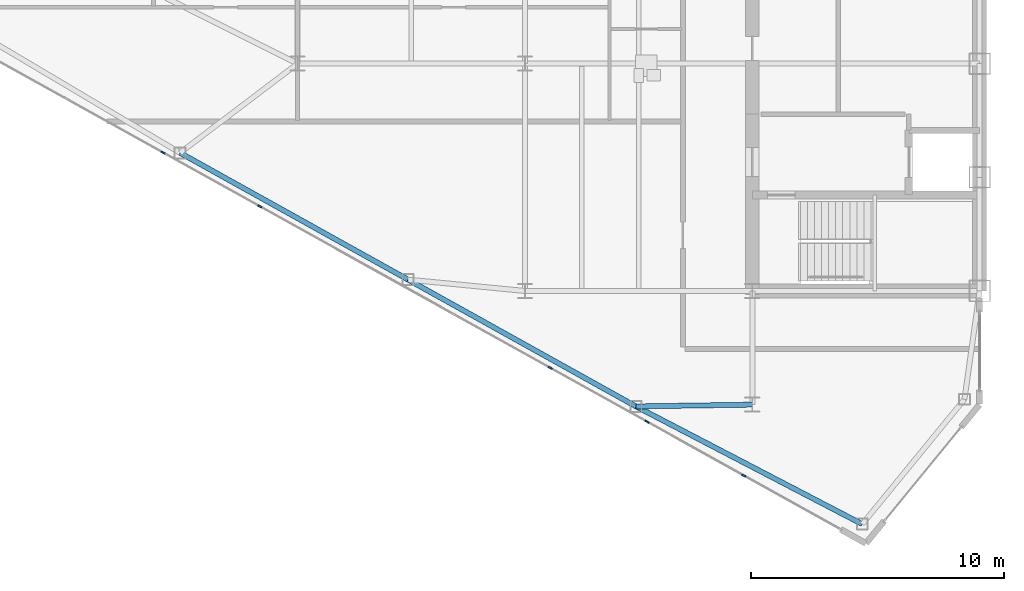
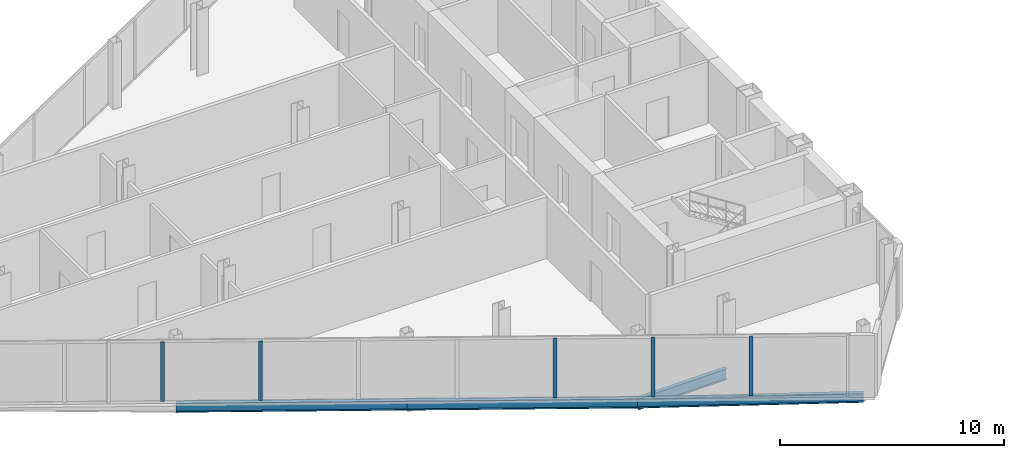
# One storey, part 3 of 25: 5 members, 4 beams, 1 element without a shape of its own.
"""IFC4 building model written with IfcOpenShell, lengths in metres."""

from ifc_helpers import new_model, si_unit, direction, frame, origin, origin_2d, place, context, subcontext, project, spatial, rectangle, i_section, extrude, source, transform, mapped, material, layer, layer_set, material_profile, profile_set, type_object, type_shapes, element, aggregate, save


model = new_model("IFC4")

# Units and contexts
model_context = context("Model", 3, precision=1e-05, world=origin(), true_north=direction((0.0, 1.0)))
body_context = subcontext(model_context, "Body", "Model", "MODEL_VIEW")
ifc_project = project(units=[si_unit("LENGTHUNIT", "METRE"), si_unit("AREAUNIT", "SQUARE_METRE"), si_unit("VOLUMEUNIT", "CUBIC_METRE"), si_unit("PLANEANGLEUNIT", "RADIAN"), si_unit("MASSUNIT", "GRAM", prefix="KILO")], contexts=[model_context])

# Site, building, storey
site_placement = place(None, origin())
site = spatial("IfcSite", under=ifc_project, at=site_placement, CompositionType="ELEMENT")
building_placement = place(site_placement, origin())
building = spatial("IfcBuilding", under=site, at=building_placement, Name="Seokmaru Belvedere", CompositionType="ELEMENT")
storey_placement = place(building_placement, frame((0.0, 0.0, 188.699951171875)))
storey = spatial("IfcBuildingStorey", under=building, at=storey_placement, Name="L50", CompositionType="ELEMENT", Elevation=188.699951171875)

# Beams
ifc_material_1 = material(Name="Steel SM355 (355 MPa)", Category="steel")
ifc_material_profile_1 = material_profile(ifc_material_1, i_section(OverallWidth=0.199951171875, OverallDepth=0.5, WebThickness=0.010009765625, FlangeThickness=0.01611328125, at=origin_2d()), Name="H-500x200x10x16")
ifc_profile_set_1 = profile_set([ifc_material_profile_1], Name="Steel SM355 (355 MPa)")
beam_type_1 = type_object("IfcBeamType", Name="Perimeter Spandrel Beam H-500", PredefinedType="SPANDREL", material=ifc_profile_set_1)
shared_shape_1 = source(origin(), body_context, "Body", "SweptSolid", [
    extrude(i_section(OverallWidth=0.199951171875, OverallDepth=0.5, WebThickness=0.010009765625, FlangeThickness=0.01611328125, at=origin_2d()), origin(), (0.0, 0.0, 1.0), 10.09716796875),
])
beam_1_placement = place(storey_placement, frame((-32.146728515625, -22.731689453125, -0.469970703125), z_axis=(-0.887085728914, 0.461604711369, 0.0), x_axis=(-0.461604711369, -0.887085728914, 0.0)))
element("IfcBeam", 1, at=beam_1_placement, inside=storey, type_object=beam_type_1, Name="L50 W Faceted Flank Spandrel S-1", PredefinedType="SPANDREL", context=body_context, shape_type="MappedRepresentation", body=[
    mapped(shared_shape_1, transform((0.0, 0.0, 0.0), scale=1.0)),
])
shared_shape_2 = source(origin(), body_context, "Body", "SweptSolid", [
    extrude(i_section(OverallWidth=0.199951171875, OverallDepth=0.5, WebThickness=0.010009765625, FlangeThickness=0.01611328125, at=origin_2d()), origin(), (0.0, 0.0, 1.0), 10.327392578125),
])
type_shapes(beam_type_1, [shared_shape_1, shared_shape_2])
for number, where, z_axis, x_axis, name in (
    (2, (-41.103759765625, -18.07080078125, -0.469970703125), (-0.873924120588, 0.486062374037, 0.0), (-0.486062374037, -0.873924120588, 0.0), "L50 W Faceted Flank Spandrel S-2"),
    (3, (-50.129150390625, -13.051025390625, -0.469970703125), (-0.873934162361, 0.48604431882, 0.0), (-0.48604431882, -0.873934162361, 0.0), "L50 W Faceted Flank Spandrel S-3"),
):
    element("IfcBeam", number, at=place(storey_placement, frame(where, z_axis=z_axis, x_axis=x_axis)), inside=storey, type_object=beam_type_1, Name=name, PredefinedType="SPANDREL", context=body_context, shape_type="MappedRepresentation", body=[
        mapped(shared_shape_2, transform((0.0, 0.0, 0.0), scale=1.0)),
    ])
ifc_material_profile_2 = material_profile(ifc_material_1, i_section(OverallWidth=0.199951171875, OverallDepth=0.60009765625, WebThickness=0.010986328125, FlangeThickness=0.01708984375, at=origin_2d()), Name="H-600x200x11x17")
ifc_profile_set_2 = profile_set([ifc_material_profile_2], Name="Steel SM355 (355 MPa)")
beam_type_2 = type_object("IfcBeamType", Name="Primary Floor Girder H-600", PredefinedType="BEAM", material=ifc_profile_set_2)
shared_shape_3 = source(origin(), body_context, "Body", "SweptSolid", [
    extrude(i_section(OverallWidth=0.199951171875, OverallDepth=0.60009765625, WebThickness=0.010986328125, FlangeThickness=0.01708984375, at=origin_2d()), origin(), (0.0, 0.0, 1.0), 4.604248046875),
])
type_shapes(beam_type_2, [shared_shape_3])
beam_2_placement = place(storey_placement, frame((-41.103759765625, -18.07080078125, -0.52001953125), z_axis=(0.999881765622, 0.01537708607, 0.0), x_axis=(-0.01537708607, 0.999881765622, 0.0)))
element("IfcBeam", 4, at=beam_2_placement, inside=storey, type_object=beam_type_2, Name="L50 W Flank Radial Floor Girder S-1", PredefinedType="BEAM", context=body_context, shape_type="MappedRepresentation", body=[
    mapped(shared_shape_3, transform((0.0, 0.0, 0.0), scale=1.0)),
])

# Curtain wall, members
ifc_material_2 = material(Name="Bronze Triple Insulating Glass", Category="glass")
ifc_layer = layer(ifc_material_2, 0.179931640625)
ifc_layer_set = layer_set([ifc_layer], Name="Bronze Triple Insulating Glass")
curtain_wall_type = type_object("IfcCurtainWallType", Name="High-Rise Wind-Corner Curtain Wall System CW-5", PredefinedType="NOTDEFINED", material=ifc_layer_set)
curtain_wall_placement = place(storey_placement, origin())
curtain_wall = element("IfcCurtainWall", 5, at=curtain_wall_placement, inside=storey, type_object=curtain_wall_type, Name="L50 Curtain Wall WF5", PredefinedType="NOTDEFINED")
ifc_material_3 = material(Name="Anodised Bronze Aluminium", Category="aluminium")
ifc_material_profile_3 = material_profile(ifc_material_3, rectangle(XDim=0.06494140625, YDim=0.179931640625, at=origin_2d()), Name="CW-M-65x180")
ifc_profile_set_3 = profile_set([ifc_material_profile_3], Name="Anodised Bronze Aluminium")
member_type = type_object("IfcMemberType", Name="Bronze Unitised Mullion 65x180", PredefinedType="MULLION", material=ifc_profile_set_3)
shared_shape_4 = source(origin(), body_context, "Body", "SweptSolid", [
    extrude(rectangle(XDim=0.06494140625, YDim=0.179931640625, at=origin_2d()), origin(), (0.0, 0.0, 1.0), 3.25),
])
type_shapes(member_type, [shared_shape_4])
member_1_placement = place(storey_placement, frame((-59.83056640625, -8.021728515625, 0.06494140625), z_axis=(0.0, 0.0, 1.0), x_axis=(0.486047125147, 0.873932601598, 0.0)))
member_1 = element("IfcMember", 6, at=member_1_placement, type_object=member_type, Name="CW:L50:WF5 Mullion 3", PredefinedType="MULLION", context=body_context, shape_type="MappedRepresentation", body=[
    mapped(shared_shape_4, transform((0.0, 0.0, 0.0), scale=1.0)),
])
member_2_placement = place(storey_placement, frame((-55.998291015625, -10.153076171875, 0.06494140625), z_axis=(0.0, 0.0, 1.0), x_axis=(0.486047125147, 0.873932601598, 0.0)))
member_2 = element("IfcMember", 7, at=member_2_placement, type_object=member_type, Name="CW:L50:WF5 Mullion 4", PredefinedType="MULLION", context=body_context, shape_type="MappedRepresentation", body=[
    mapped(shared_shape_4, transform((0.0, 0.0, 0.0), scale=1.0)),
])
member_3_placement = place(storey_placement, frame((-44.501708984375, -16.547119140625, 0.06494140625), z_axis=(0.0, 0.0, 1.0), x_axis=(0.486047125147, 0.873932601598, 0.0)))
member_3 = element("IfcMember", 8, at=member_3_placement, type_object=member_type, Name="CW:L50:WF5 Mullion 7", PredefinedType="MULLION", context=body_context, shape_type="MappedRepresentation", body=[
    mapped(shared_shape_4, transform((0.0, 0.0, 0.0), scale=1.0)),
])
member_4_placement = place(storey_placement, frame((-40.66943359375, -18.67822265625, 0.06494140625), z_axis=(0.0, 0.0, 1.0), x_axis=(0.486047125147, 0.873932601598, 0.0)))
member_4 = element("IfcMember", 9, at=member_4_placement, type_object=member_type, Name="CW:L50:WF5 Mullion 8", PredefinedType="MULLION", context=body_context, shape_type="MappedRepresentation", body=[
    mapped(shared_shape_4, transform((0.0, 0.0, 0.0), scale=1.0)),
])
member_5_placement = place(storey_placement, frame((-36.837158203125, -20.809814453125, 0.06494140625), z_axis=(0.0, 0.0, 1.0), x_axis=(0.486047125147, 0.873932601598, 0.0)))
member_5 = element("IfcMember", 10, at=member_5_placement, type_object=member_type, Name="CW:L50:WF5 Mullion 9", PredefinedType="MULLION", context=body_context, shape_type="MappedRepresentation", body=[
    mapped(shared_shape_4, transform((0.0, 0.0, 0.0), scale=1.0)),
])
aggregate(curtain_wall, [member_1, member_2, member_3, member_4, member_5])

save(model, "model.ifc")
